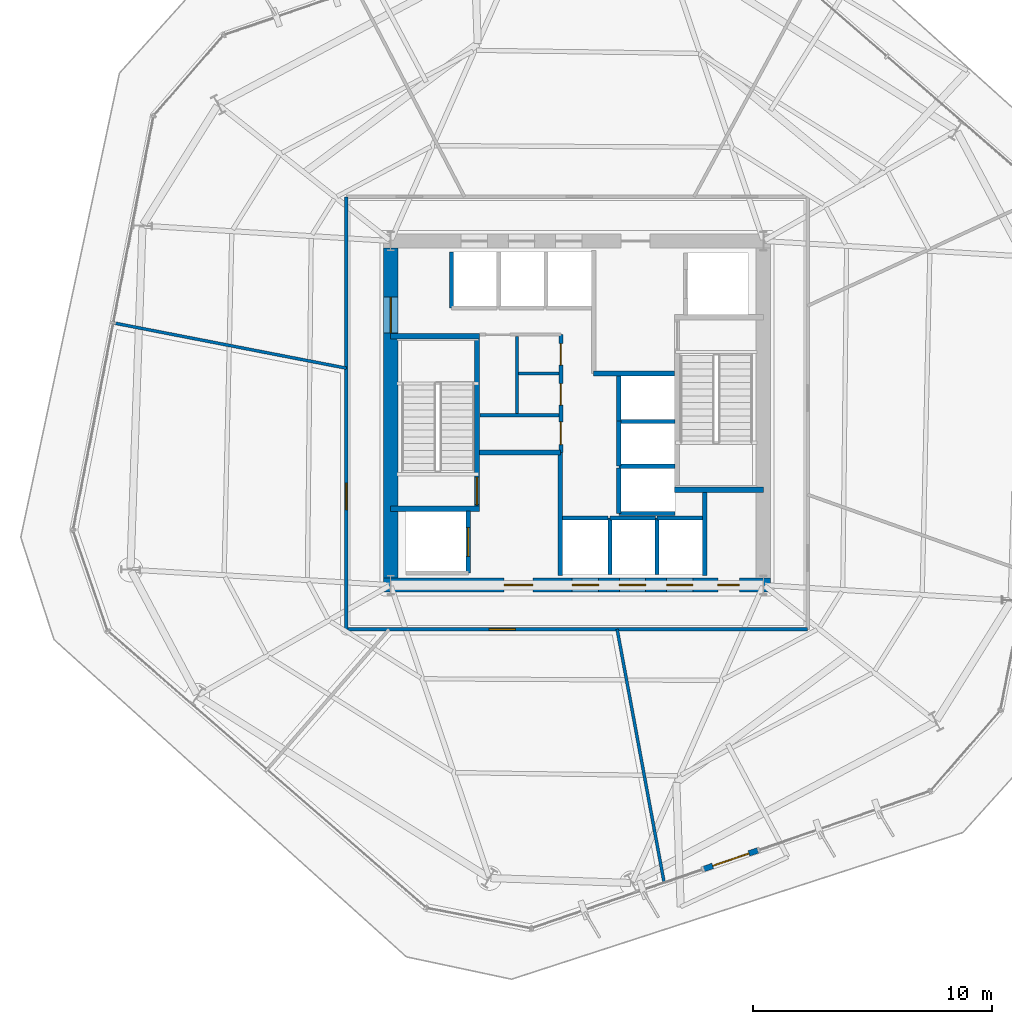
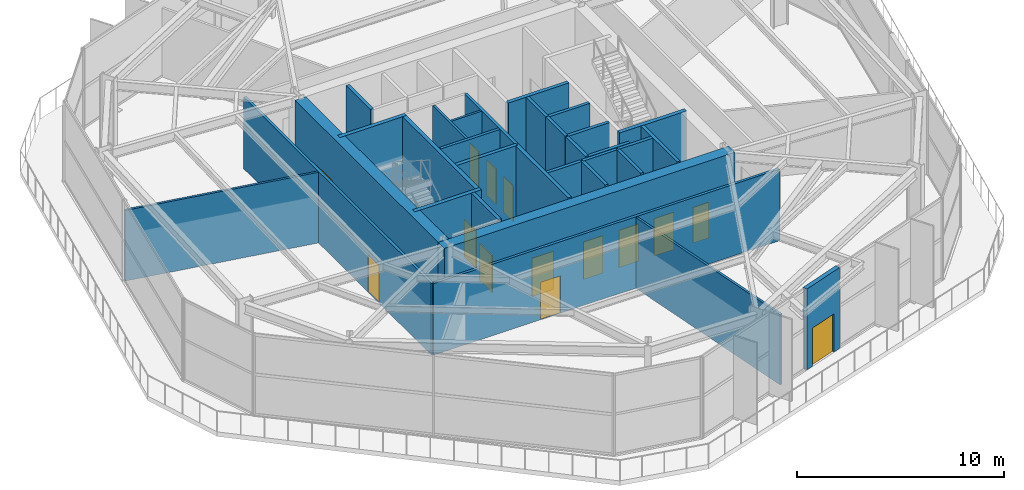
# One storey, part 9 of 16: 32 walls, 14 doors, 14 openings.
"""IFC4 building model written with IfcOpenShell, lengths in metres."""

from ifc_helpers import new_model, si_unit, direction, frame, frame_2d, origin, place, context, subcontext, project, spatial, rectangle, extrude, material, layer, layer_set, type_object, element, fill, save


model = new_model("IFC4")

# Units and contexts
model_context = context("Model", 3, precision=1e-05, world=origin(), true_north=direction((0.0, 1.0)))
body_context = subcontext(model_context, "Body", "Model", "MODEL_VIEW")
ifc_project = project(units=[si_unit("LENGTHUNIT", "METRE"), si_unit("AREAUNIT", "SQUARE_METRE"), si_unit("VOLUMEUNIT", "CUBIC_METRE"), si_unit("PLANEANGLEUNIT", "RADIAN"), si_unit("MASSUNIT", "GRAM", prefix="KILO")], contexts=[model_context])

# Site, building, storey
site_placement = place(None, origin())
site = spatial("IfcSite", under=ifc_project, at=site_placement, CompositionType="ELEMENT")
building_placement = place(site_placement, origin())
building = spatial("IfcBuilding", under=site, at=building_placement, Name="Kranzbogen Civic Tower", CompositionType="ELEMENT")
storey_placement = place(building_placement, frame((0.0, 0.0, 97.39990234375)))
storey = spatial("IfcBuildingStorey", under=building, at=storey_placement, Name="L23", CompositionType="ELEMENT", Elevation=97.39990234375)

# Wall, opening, door
ifc_material_1 = material(Name="Double-Stud Acoustic Gypsum Partition")
ifc_layer_1 = layer(ifc_material_1, 0.14990234375, Name="Double-Stud Acoustic Gypsum Partition")
ifc_layer_set_1 = layer_set([ifc_layer_1], Name="Double-Stud Acoustic Gypsum Partition")
wall_type_1 = type_object("IfcWallType", Name="Acoustic Corridor and Clinical Partition 150 mm", PredefinedType="PARTITIONING", material=ifc_layer_set_1)
wall_1_placement = place(storey_placement, frame((34.64990234375, 15.949951171875, 0.0), z_axis=(0.0, 0.0, 1.0), x_axis=(-1.0, 0.0, 0.0)))
wall_1 = element("IfcWall", 1, at=wall_1_placement, inside=storey, type_object=wall_type_1, Name="L23 corridor partition 03", PredefinedType="PARTITIONING", context=body_context, shape_type="SweptSolid", body=[
    extrude(rectangle(XDim=19.2998046875, YDim=0.14990234375, at=frame_2d((9.64990234375, 0.0))), origin(), (0.0, 0.0, 1.0), 4.210205078125),
])
opening_1_placement = place(wall_1_placement, frame((12.22705078125, 0.0, 0.0)))
opening_1 = element("IfcOpeningElement", 2, at=opening_1_placement, cuts=wall_1, Name="Opening D-COR60", PredefinedType="OPENING", context=body_context, shape_type="SweptSolid", body=[
    extrude(rectangle(XDim=1.10009765625, YDim=2.199951171875, at=frame_2d((0.550048828125, 1.10009765625))), frame((0.0, 0.0849609375, 0.0), z_axis=(0.0, -1.0, 0.0), x_axis=(1.0, 0.0, 0.0)), (0.0, 0.0, 1.0), 0.169921875),
])
ifc_material_2 = material(Name="Oak Timber and Fire Core", Category="wood")
door_type_1 = type_object("IfcDoorType", Name="Corridor Acoustic Fire Door 1100x2200", OperationType="NOTDEFINED", PredefinedType="DOOR", material=ifc_material_2)
door_1_placement = place(opening_1_placement, origin())
door_1 = element("IfcDoor", 3, at=door_1_placement, inside=storey, type_object=door_type_1, Name="L23 Directorate Admin Workspace door", OperationType="SINGLE_SWING_RIGHT", OverallHeight=2.199951171875, OverallWidth=1.10009765625, PredefinedType="DOOR", context=body_context, shape_type="SweptSolid", body=[
    extrude(rectangle(XDim=1.10009765625, YDim=2.199951171875, at=frame_2d((0.550048828125, 1.10009765625))), frame((0.0, 0.02490234375, 0.0), z_axis=(0.0, -1.0, 0.0), x_axis=(1.0, 0.0, 0.0)), (0.0, 0.0, 1.0), 0.050048828125),
])
fill(opening_1, door_1)

wall_2_placement = place(storey_placement, frame((15.35009765625, 15.949951171875, 0.0), z_axis=(0.0, 0.0, 1.0), x_axis=(0.0, 1.0, 0.0)))
wall_2 = element("IfcWall", 4, at=wall_2_placement, inside=storey, type_object=wall_type_1, Name="L23 corridor partition 04", PredefinedType="PARTITIONING", context=body_context, shape_type="SweptSolid", body=[
    extrude(rectangle(XDim=18.10009765625, YDim=0.14990234375, at=frame_2d((9.050048828125, 0.0))), origin(), (0.0, 0.0, 1.0), 4.210205078125),
])
opening_2_placement = place(wall_2_placement, frame((5.011962890625, 0.0, 0.0)))
opening_2 = element("IfcOpeningElement", 5, at=opening_2_placement, cuts=wall_2, Name="Opening D-COR60", PredefinedType="OPENING", context=body_context, shape_type="SweptSolid", body=[
    extrude(rectangle(XDim=1.10009765625, YDim=2.199951171875, at=frame_2d((0.550048828125, 1.10009765625))), frame((0.0, 0.0849609375, 0.0), z_axis=(0.0, -1.0, 0.0), x_axis=(1.0, 0.0, 0.0)), (0.0, 0.0, 1.0), 0.169921875),
])
door_2_placement = place(opening_2_placement, origin())
door_2 = element("IfcDoor", 6, at=door_2_placement, inside=storey, type_object=door_type_1, Name="L23 Ministerial Policy Office door", OperationType="SINGLE_SWING_LEFT", OverallHeight=2.199951171875, OverallWidth=1.10009765625, PredefinedType="DOOR", context=body_context, shape_type="SweptSolid", body=[
    extrude(rectangle(XDim=1.10009765625, YDim=2.199951171875, at=frame_2d((0.550048828125, 1.10009765625))), frame((0.0, 0.02490234375, 0.0), z_axis=(0.0, -1.0, 0.0), x_axis=(1.0, 0.0, 0.0)), (0.0, 0.0, 1.0), 0.050048828125),
])
fill(opening_2, door_2)

# Walls
ifc_material_3 = material(Name="Insulated Metal-Stud Gypsum Partition")
ifc_layer_2 = layer(ifc_material_3, 0.125, Name="Insulated Metal-Stud Gypsum Partition")
ifc_layer_set_2 = layer_set([ifc_layer_2], Name="Insulated Metal-Stud Gypsum Partition")
wall_type_2 = type_object("IfcWallType", Name="Acoustic Inter-Room Partition 125 mm", PredefinedType="PARTITIONING", material=ifc_layer_set_2)
wall_3_placement = place(storey_placement, frame((22.489990234375, 24.969970703125, 0.0), z_axis=(0.0, 0.0, 1.0), x_axis=(0.0, 1.0, 0.0)))
element("IfcWall", 7, at=wall_3_placement, inside=storey, type_object=wall_type_2, Name="L23 core auxiliary partition 2", PredefinedType="PARTITIONING", context=body_context, shape_type="SweptSolid", body=[
    extrude(rectangle(XDim=3.22998046875, YDim=0.125, at=frame_2d((1.614990234375, 0.0))), origin(), (0.0, 0.0, 1.0), 4.760009765625),
])
wall_4_placement = place(storey_placement, frame((22.550048828125, 26.659912109375, 0.0), z_axis=(0.0, 0.0, 1.0), x_axis=(1.0, 0.0, 0.0)))
element("IfcWall", 8, at=wall_4_placement, inside=storey, type_object=wall_type_2, Name="L23 core auxiliary partition 3", PredefinedType="PARTITIONING", context=body_context, shape_type="SweptSolid", body=[
    extrude(rectangle(XDim=1.699951171875, YDim=0.125, at=frame_2d((0.85009765625, 0.0))), origin(), (0.0, 0.0, 1.0), 4.760009765625),
])
wall_5_placement = place(storey_placement, frame((15.35009765625, 26.8759765625, 0.0), z_axis=(0.0, 0.0, 1.0), x_axis=(-0.981638939677, 0.190748504868, 0.0)))
element("IfcWall", 9, at=wall_5_placement, inside=storey, type_object=wall_type_2, Name="L23 radial room partition 03", PredefinedType="PARTITIONING", context=body_context, shape_type="SweptSolid", body=[
    extrude(rectangle(XDim=9.92431640625, YDim=0.125, at=frame_2d((4.962158203125, 0.0))), origin(), (0.0, 0.0, 1.0), 4.16015625),
])
wall_6_placement = place(storey_placement, frame((26.678955078125, 15.949951171875, 0.0), z_axis=(0.0, 0.0, 1.0), x_axis=(0.182465094044, -0.983212331826, 0.0)))
element("IfcWall", 10, at=wall_6_placement, inside=storey, type_object=wall_type_2, Name="L23 radial room partition 05", PredefinedType="PARTITIONING", context=body_context, shape_type="SweptSolid", body=[
    extrude(rectangle(XDim=10.769775390625, YDim=0.125, at=frame_2d((5.384765625, 0.0))), origin(), (0.0, 0.0, 1.0), 4.16015625),
])

# Wall, openings, doors
ifc_material_4 = material(Name="Concrete C55/67", Category="concrete")
ifc_layer_3 = layer(ifc_material_4, 0.60009765625, Name="Concrete C55/67")
ifc_layer_set_3 = layer_set([ifc_layer_3], Name="Concrete C55/67")
wall_type_3 = type_object("IfcWallType", Name="Central Core Shear Wall 600 mm", PredefinedType="SHEAR", material=ifc_layer_set_3)
wall_7_placement = place(storey_placement, frame((16.89990234375, 17.800048828125, 0.0), z_axis=(0.0, 0.0, 1.0), x_axis=(1.0, 0.0, 0.0)))
wall_7 = element("IfcWall", 11, at=wall_7_placement, inside=storey, type_object=wall_type_3, Name="L23 central core South shear wall", PredefinedType="SHEAR", context=body_context, shape_type="SweptSolid", body=[
    extrude(rectangle(XDim=16.2001953125, YDim=0.60009765625, at=frame_2d((8.10009765625, 0.0))), origin(), (0.0, 0.0, 1.0), 4.760009765625),
])
opening_3_placement = place(wall_7_placement, frame((5.050048828125, 0.0, 0.0)))
opening_3 = element("IfcOpeningElement", 12, at=opening_3_placement, cuts=wall_7, Name="Opening D-EX120", PredefinedType="OPENING", context=body_context, shape_type="SweptSolid", body=[
    extrude(rectangle(XDim=1.199951171875, YDim=2.25, at=frame_2d((0.60009765625, 1.125))), frame((0.0, 0.31005859375, 0.0), z_axis=(0.0, -1.0, 0.0), x_axis=(1.0, 0.0, 0.0)), (0.0, 0.0, 1.0), 0.6201171875),
])
opening_4_placement = place(wall_7_placement, frame((14.0, 0.0, 0.0)))
opening_4 = element("IfcOpeningElement", 13, at=opening_4_placement, cuts=wall_7, Name="Opening D-WC90", PredefinedType="OPENING", context=body_context, shape_type="SweptSolid", body=[
    extrude(rectangle(XDim=0.89990234375, YDim=2.10009765625, at=frame_2d((0.449951171875, 1.050048828125))), frame((0.0, 0.31005859375, 0.0), z_axis=(0.0, -1.0, 0.0), x_axis=(1.0, 0.0, 0.0)), (0.0, 0.0, 1.0), 0.6201171875),
])
opening_5_placement = place(wall_7_placement, frame((7.89990234375, 0.0, 0.0)))
opening_5 = element("IfcOpeningElement", 14, at=opening_5_placement, cuts=wall_7, Name="Opening LD-LP-01", PredefinedType="OPENING", context=body_context, shape_type="SweptSolid", body=[
    extrude(rectangle(XDim=1.10009765625, YDim=2.199951171875, at=frame_2d((0.550048828125, 1.10009765625))), frame((0.0, 0.31005859375, 0.0), z_axis=(0.0, -1.0, 0.0), x_axis=(1.0, 0.0, 0.0)), (0.0, 0.0, 1.0), 0.6201171875),
])
opening_6_placement = place(wall_7_placement, frame((9.875, 0.0, 0.0)))
opening_6 = element("IfcOpeningElement", 15, at=opening_6_placement, cuts=wall_7, Name="Opening LD-LP-02", PredefinedType="OPENING", context=body_context, shape_type="SweptSolid", body=[
    extrude(rectangle(XDim=1.10009765625, YDim=2.199951171875, at=frame_2d((0.550048828125, 1.10009765625))), frame((0.0, 0.31005859375, 0.0), z_axis=(0.0, -1.0, 0.0), x_axis=(1.0, 0.0, 0.0)), (0.0, 0.0, 1.0), 0.6201171875),
])
opening_7_placement = place(wall_7_placement, frame((11.85009765625, 0.0, 0.0)))
opening_7 = element("IfcOpeningElement", 16, at=opening_7_placement, cuts=wall_7, Name="Opening LD-LP-03", PredefinedType="OPENING", context=body_context, shape_type="SweptSolid", body=[
    extrude(rectangle(XDim=1.10009765625, YDim=2.199951171875, at=frame_2d((0.550048828125, 1.10009765625))), frame((0.0, 0.31005859375, 0.0), z_axis=(0.0, -1.0, 0.0), x_axis=(1.0, 0.0, 0.0)), (0.0, 0.0, 1.0), 0.6201171875),
])
ifc_material_5 = material(Name="Steel S355", Category="steel")
door_type_2 = type_object("IfcDoorType", Name="Exit Passageway Fire Door 1200x2250", OperationType="NOTDEFINED", PredefinedType="DOOR", material=ifc_material_5)
door_3_placement = place(opening_3_placement, origin())
door_3 = element("IfcDoor", 17, at=door_3_placement, inside=storey, type_object=door_type_2, Name="L23 West firefighting lobby corridor door", OperationType="SINGLE_SWING_RIGHT", OverallHeight=2.25, OverallWidth=1.199951171875, PredefinedType="DOOR", context=body_context, shape_type="SweptSolid", body=[
    extrude(rectangle(XDim=1.199951171875, YDim=2.25, at=frame_2d((0.60009765625, 1.125))), frame((0.0, 0.02490234375, 0.0), z_axis=(0.0, -1.0, 0.0), x_axis=(1.0, 0.0, 0.0)), (0.0, 0.0, 1.0), 0.050048828125),
])
fill(opening_3, door_3)
ifc_material_6 = material(Name="Pale Anodised Aluminium", Category="aluminium")
door_type_3 = type_object("IfcDoorType", Name="Passenger Lift Sliding Landing Door 1100x2200", OperationType="DOUBLE_DOOR_SLIDING", PredefinedType="DOOR", material=ifc_material_6)
door_4_placement = place(opening_5_placement, origin())
door_4 = element("IfcDoor", 18, at=door_4_placement, inside=storey, type_object=door_type_3, Name="L23 lift LP-01 sliding landing door", OperationType="DOUBLE_DOOR_SLIDING", OverallHeight=2.199951171875, OverallWidth=1.10009765625, PredefinedType="DOOR", context=body_context, shape_type="SweptSolid", body=[
    extrude(rectangle(XDim=1.10009765625, YDim=2.199951171875, at=frame_2d((0.550048828125, 1.10009765625))), frame((0.0, 0.02490234375, 0.0), z_axis=(0.0, -1.0, 0.0), x_axis=(1.0, 0.0, 0.0)), (0.0, 0.0, 1.0), 0.050048828125),
])
fill(opening_5, door_4)
door_5_placement = place(opening_6_placement, origin())
door_5 = element("IfcDoor", 19, at=door_5_placement, inside=storey, type_object=door_type_3, Name="L23 lift LP-02 sliding landing door", OperationType="DOUBLE_DOOR_SLIDING", OverallHeight=2.199951171875, OverallWidth=1.10009765625, PredefinedType="DOOR", context=body_context, shape_type="SweptSolid", body=[
    extrude(rectangle(XDim=1.10009765625, YDim=2.199951171875, at=frame_2d((0.550048828125, 1.10009765625))), frame((0.0, 0.02490234375, 0.0), z_axis=(0.0, -1.0, 0.0), x_axis=(1.0, 0.0, 0.0)), (0.0, 0.0, 1.0), 0.050048828125),
])
fill(opening_6, door_5)
door_6_placement = place(opening_7_placement, origin())
door_6 = element("IfcDoor", 20, at=door_6_placement, inside=storey, type_object=door_type_3, Name="L23 lift LP-03 sliding landing door", OperationType="DOUBLE_DOOR_SLIDING", OverallHeight=2.199951171875, OverallWidth=1.10009765625, PredefinedType="DOOR", context=body_context, shape_type="SweptSolid", body=[
    extrude(rectangle(XDim=1.10009765625, YDim=2.199951171875, at=frame_2d((0.550048828125, 1.10009765625))), frame((0.0, 0.02490234375, 0.0), z_axis=(0.0, -1.0, 0.0), x_axis=(1.0, 0.0, 0.0)), (0.0, 0.0, 1.0), 0.050048828125),
])
fill(opening_7, door_6)
ifc_material_7 = material(Name="Moisture-Resistant Laminate")
door_type_4 = type_object("IfcDoorType", Name="Standard Restroom and Store Door 900x2100", OperationType="NOTDEFINED", PredefinedType="DOOR", material=ifc_material_7)
door_7_placement = place(opening_4_placement, origin())
door_7 = element("IfcDoor", 21, at=door_7_placement, inside=storey, type_object=door_type_4, Name="L23 East electrical riser access door", OperationType="SINGLE_SWING_RIGHT", OverallHeight=2.10009765625, OverallWidth=0.89990234375, PredefinedType="DOOR", context=body_context, shape_type="SweptSolid", body=[
    extrude(rectangle(XDim=0.89990234375, YDim=2.10009765625, at=frame_2d((0.449951171875, 1.050048828125))), frame((0.0, 0.02490234375, 0.0), z_axis=(0.0, -1.0, 0.0), x_axis=(1.0, 0.0, 0.0)), (0.0, 0.0, 1.0), 0.050048828125),
])
fill(opening_4, door_7)

# Wall, opening, door
wall_8_placement = place(storey_placement, frame((17.199951171875, 31.89990234375, 0.0), z_axis=(0.0, 0.0, 1.0), x_axis=(0.0, -1.0, 0.0)))
wall_8 = element("IfcWall", 22, at=wall_8_placement, inside=storey, type_object=wall_type_3, Name="L23 central core West shear wall", PredefinedType="SHEAR", context=body_context, shape_type="SweptSolid", body=[
    extrude(rectangle(XDim=13.7998046875, YDim=0.60009765625, at=frame_2d((6.89990234375, 0.0))), origin(), (0.0, 0.0, 1.0), 4.760009765625),
])
opening_8_placement = place(wall_8_placement, frame((2.050048828125, 0.0, 0.0)))
opening_8 = element("IfcOpeningElement", 23, at=opening_8_placement, cuts=wall_8, Name="Opening D-DBL15", PredefinedType="OPENING", context=body_context, shape_type="SweptSolid", body=[
    extrude(rectangle(XDim=1.5, YDim=2.199951171875, at=frame_2d((0.75, 1.10009765625))), frame((0.0, 0.31005859375, 0.0), z_axis=(0.0, -1.0, 0.0), x_axis=(1.0, 0.0, 0.0)), (0.0, 0.0, 1.0), 0.6201171875),
])
ifc_material_8 = material(Name="Anodised Bronze and Glass", Category="glass")
door_type_5 = type_object("IfcDoorType", Name="Civic Lobby Double Door 1500x2200", OperationType="DOUBLE_DOOR_SINGLE_SWING", PredefinedType="DOOR", material=ifc_material_8)
door_8_placement = place(opening_8_placement, origin())
door_8 = element("IfcDoor", 24, at=door_8_placement, inside=storey, type_object=door_type_5, Name="L23 Central Lift Lobby West concourse door", OperationType="DOUBLE_DOOR_SINGLE_SWING", OverallHeight=2.199951171875, OverallWidth=1.5, PredefinedType="DOOR", context=body_context, shape_type="SweptSolid", body=[
    extrude(rectangle(XDim=1.5, YDim=2.199951171875, at=frame_2d((0.75, 1.10009765625))), frame((0.0, 0.02490234375, 0.0), z_axis=(0.0, -1.0, 0.0), x_axis=(1.0, 0.0, 0.0)), (0.0, 0.0, 1.0), 0.050048828125),
])
fill(opening_8, door_8)

ifc_material_9 = material(Name="Concrete C45/55", Category="concrete")
ifc_layer_4 = layer(ifc_material_9, 0.219970703125, Name="Concrete C45/55")
ifc_layer_set_4 = layer_set([ifc_layer_4], Name="Concrete C45/55")
wall_type_4 = type_object("IfcWallType", Name="Core Internal Stair Structural Wall 220 mm", PredefinedType="SOLIDWALL", material=ifc_layer_set_4)
wall_9_placement = place(storey_placement, frame((20.81005859375, 20.989990234375, 0.0), z_axis=(0.0, 0.0, 1.0), x_axis=(0.0, 1.0, 0.0)))
wall_9 = element("IfcWall", 25, at=wall_9_placement, inside=storey, type_object=wall_type_4, Name="L23 ST-T1 East structural stair wall", PredefinedType="SOLIDWALL", context=body_context, shape_type="SweptSolid", body=[
    extrude(rectangle(XDim=7.219970703125, YDim=0.219970703125, at=frame_2d((3.60986328125, 0.0))), origin(), (0.0, 0.0, 1.0), 4.760009765625),
])
opening_9_placement = place(wall_9_placement, frame((0.179931640625, 0.0, 0.0)))
opening_9 = element("IfcOpeningElement", 26, at=opening_9_placement, cuts=wall_9, Name="Opening D-ST90", PredefinedType="OPENING", context=body_context, shape_type="SweptSolid", body=[
    extrude(rectangle(XDim=1.14990234375, YDim=2.199951171875, at=frame_2d((0.574951171875, 1.10009765625))), frame((0.0, 0.1201171875, 0.0), z_axis=(0.0, -1.0, 0.0), x_axis=(1.0, 0.0, 0.0)), (0.0, 0.0, 1.0), 0.239990234375),
])
door_type_6 = type_object("IfcDoorType", Name="Pressurized Stair and Lobby Fire Door 1150x2200", OperationType="NOTDEFINED", PredefinedType="DOOR", material=ifc_material_5)
door_9_placement = place(opening_9_placement, origin())
door_9 = element("IfcDoor", 27, at=door_9_placement, inside=storey, type_object=door_type_6, Name="L23 Stair ST-T1 fire door", OperationType="SINGLE_SWING_RIGHT", OverallHeight=2.199951171875, OverallWidth=1.14990234375, PredefinedType="DOOR", context=body_context, shape_type="SweptSolid", body=[
    extrude(rectangle(XDim=1.14990234375, YDim=2.199951171875, at=frame_2d((0.574951171875, 1.10009765625))), frame((0.0, 0.02490234375, 0.0), z_axis=(0.0, -1.0, 0.0), x_axis=(1.0, 0.0, 0.0)), (0.0, 0.0, 1.0), 0.050048828125),
])
fill(opening_9, door_9)

# Walls
for number, where, z_axis, x_axis, name in (
    (28, (17.199951171875, 20.989990234375, 0.0), (0.0, 0.0, 1.0), (1.0, 0.0, 0.0), "L23 ST-T1 South structural stair wall"),
    (29, (17.199951171875, 28.2099609375, 0.0), (0.0, 0.0, 1.0), (1.0, 0.0, 0.0), "L23 ST-T1 North structural stair wall"),
    (30, (29.080078125, 21.7900390625, 0.0), (0.0, 0.0, 1.0), (1.0, 0.0, 0.0), "L23 ST-T2 South structural stair wall"),
):
    element("IfcWall", number, at=place(storey_placement, frame(where, z_axis=z_axis, x_axis=x_axis)), inside=storey, type_object=wall_type_4, Name=name, PredefinedType="SOLIDWALL", context=body_context, shape_type="SweptSolid", body=[
        extrude(rectangle(XDim=3.719970703125, YDim=0.219970703125, at=frame_2d((1.85986328125, 0.0))), origin(), (0.0, 0.0, 1.0), 4.760009765625),
    ])
ifc_material_10 = material(Name="Gypsum Fireboard and Concrete Block", Category="concrete")
ifc_layer_5 = layer(ifc_material_10, 0.199951171875, Name="Gypsum Fireboard and Concrete Block")
ifc_layer_set_5 = layer_set([ifc_layer_5], Name="Gypsum Fireboard and Concrete Block")
wall_type_5 = type_object("IfcWallType", Name="Fire-Rated Exit Passageway and Stair Wall 200 mm", PredefinedType="PARTITIONING", material=ifc_layer_set_5)
wall_10_placement = place(storey_placement, frame((24.300048828125, 18.199951171875, 0.0), z_axis=(0.0, 0.0, 1.0), x_axis=(0.0, 1.0, 0.0)))
element("IfcWall", 31, at=wall_10_placement, inside=storey, type_object=wall_type_5, Name="L23 West firefighting lobby East wall", PredefinedType="PARTITIONING", context=body_context, shape_type="SweptSolid", body=[
    extrude(rectangle(XDim=5.150146484375, YDim=0.199951171875, at=frame_2d((2.5751953125, 0.0))), origin(), (0.0, 0.0, 1.0), 4.760009765625),
])
for number, where, z_axis, x_axis, name in (
    (32, (20.919921875, 23.35009765625, 0.0), (0.0, 0.0, 1.0), (1.0, 0.0, 0.0), "L23 West firefighting lobby North wall"),
    (33, (25.699951171875, 26.64990234375, 0.0), (0.0, 0.0, 1.0), (1.0, 0.0, 0.0), "L23 East firefighting lobby South wall"),
):
    element("IfcWall", number, at=place(storey_placement, frame(where, z_axis=z_axis, x_axis=x_axis)), inside=storey, type_object=wall_type_5, Name=name, PredefinedType="PARTITIONING", context=body_context, shape_type="SweptSolid", body=[
        extrude(rectangle(XDim=3.380126953125, YDim=0.199951171875, at=frame_2d((1.68994140625, 0.0))), origin(), (0.0, 0.0, 1.0), 4.760009765625),
    ])
ifc_material_11 = material(Name="Gypsum Fireboard Shaftliner")
ifc_layer_6 = layer(ifc_material_11, 0.175048828125, Name="Gypsum Fireboard Shaftliner")
ifc_layer_set_6 = layer_set([ifc_layer_6], Name="Gypsum Fireboard Shaftliner")
wall_type_6 = type_object("IfcWallType", Name="Fire-Rated Lift and Service Shaft Wall 175 mm", PredefinedType="PARTITIONING", material=ifc_layer_set_6)
wall_11_placement = place(storey_placement, frame((30.35009765625, 18.199951171875, 0.0), z_axis=(0.0, 0.0, 1.0), x_axis=(0.0, 1.0, 0.0)))
element("IfcWall", 34, at=wall_11_placement, inside=storey, type_object=wall_type_6, Name="L23 East core riser West wall", PredefinedType="PARTITIONING", context=body_context, shape_type="SweptSolid", body=[
    extrude(rectangle(XDim=3.47998046875, YDim=0.175048828125, at=frame_2d((1.739990234375, 0.0))), origin(), (0.0, 0.0, 1.0), 4.760009765625),
])
wall_12_placement = place(storey_placement, frame((24.39990234375, 20.60009765625, 0.0), z_axis=(0.0, 0.0, 1.0), x_axis=(1.0, 0.0, 0.0)))
element("IfcWall", 35, at=wall_12_placement, inside=storey, type_object=wall_type_6, Name="L23 lift LP-01 rear wall", PredefinedType="PARTITIONING", context=body_context, shape_type="SweptSolid", body=[
    extrude(rectangle(XDim=1.900146484375, YDim=0.175048828125, at=frame_2d((0.9501953125, 0.0))), origin(), (0.0, 0.0, 1.0), 4.760009765625),
])
wall_13_placement = place(storey_placement, frame((26.375, 20.60009765625, 0.0), z_axis=(0.0, 0.0, 1.0), x_axis=(1.0, 0.0, 0.0)))
element("IfcWall", 36, at=wall_13_placement, inside=storey, type_object=wall_type_6, Name="L23 lift LP-02 rear wall", PredefinedType="PARTITIONING", context=body_context, shape_type="SweptSolid", body=[
    extrude(rectangle(XDim=1.89990234375, YDim=0.175048828125, at=frame_2d((0.949951171875, 0.0))), origin(), (0.0, 0.0, 1.0), 4.760009765625),
])
wall_14_placement = place(storey_placement, frame((26.375, 18.25, 0.0), z_axis=(0.0, 0.0, 1.0), x_axis=(0.0, 1.0, 0.0)))
element("IfcWall", 37, at=wall_14_placement, inside=storey, type_object=wall_type_6, Name="L23 lift LP-02 side wall", PredefinedType="PARTITIONING", context=body_context, shape_type="SweptSolid", body=[
    extrude(rectangle(XDim=2.35009765625, YDim=0.175048828125, at=frame_2d((1.175048828125, 0.0))), origin(), (0.0, 0.0, 1.0), 4.760009765625),
])
wall_15_placement = place(storey_placement, frame((28.35009765625, 20.60009765625, 0.0), z_axis=(0.0, 0.0, 1.0), x_axis=(1.0, 0.0, 0.0)))
element("IfcWall", 38, at=wall_15_placement, inside=storey, type_object=wall_type_6, Name="L23 lift LP-03 rear wall", PredefinedType="PARTITIONING", context=body_context, shape_type="SweptSolid", body=[
    extrude(rectangle(XDim=1.89990234375, YDim=0.175048828125, at=frame_2d((0.949951171875, 0.0))), origin(), (0.0, 0.0, 1.0), 4.760009765625),
])
for number, where, z_axis, x_axis, name in (
    (39, (28.35009765625, 18.25, 0.0), (0.0, 0.0, 1.0), (0.0, 1.0, 0.0), "L23 lift LP-03 side wall"),
    (40, (19.75, 29.39990234375, 0.0), (0.0, 0.0, 1.0), (0.0, 1.0, 0.0), "L23 lift MP-01 side wall"),
):
    element("IfcWall", number, at=place(storey_placement, frame(where, z_axis=z_axis, x_axis=x_axis)), inside=storey, type_object=wall_type_6, Name=name, PredefinedType="PARTITIONING", context=body_context, shape_type="SweptSolid", body=[
        extrude(rectangle(XDim=2.35009765625, YDim=0.175048828125, at=frame_2d((1.175048828125, 0.0))), origin(), (0.0, 0.0, 1.0), 4.760009765625),
    ])
wall_16_placement = place(storey_placement, frame((26.75, 20.800048828125, 0.0), z_axis=(0.0, 0.0, 1.0), x_axis=(0.0, 1.0, 0.0)))
element("IfcWall", 41, at=wall_16_placement, inside=storey, type_object=wall_type_6, Name="L23 lift HP-01 landing wall", PredefinedType="PARTITIONING", context=body_context, shape_type="SweptSolid", body=[
    extrude(rectangle(XDim=1.89990234375, YDim=0.175048828125, at=frame_2d((0.949951171875, 0.0))), origin(), (0.0, 0.0, 1.0), 4.760009765625),
])
wall_17_placement = place(storey_placement, frame((26.75, 20.800048828125, 0.0), z_axis=(0.0, 0.0, 1.0), x_axis=(1.0, 0.0, 0.0)))
element("IfcWall", 42, at=wall_17_placement, inside=storey, type_object=wall_type_6, Name="L23 lift HP-01 side wall", PredefinedType="PARTITIONING", context=body_context, shape_type="SweptSolid", body=[
    extrude(rectangle(XDim=2.35009765625, YDim=0.175048828125, at=frame_2d((1.175048828125, 0.0))), origin(), (0.0, 0.0, 1.0), 4.760009765625),
])
wall_18_placement = place(storey_placement, frame((26.75, 22.77490234375, 0.0), z_axis=(0.0, 0.0, 1.0), x_axis=(0.0, 1.0, 0.0)))
element("IfcWall", 43, at=wall_18_placement, inside=storey, type_object=wall_type_6, Name="L23 lift HP-02 landing wall", PredefinedType="PARTITIONING", context=body_context, shape_type="SweptSolid", body=[
    extrude(rectangle(XDim=1.900146484375, YDim=0.175048828125, at=frame_2d((0.9501953125, 0.0))), origin(), (0.0, 0.0, 1.0), 4.760009765625),
])
wall_19_placement = place(storey_placement, frame((26.75, 22.77490234375, 0.0), z_axis=(0.0, 0.0, 1.0), x_axis=(1.0, 0.0, 0.0)))
element("IfcWall", 44, at=wall_19_placement, inside=storey, type_object=wall_type_6, Name="L23 lift HP-02 side wall", PredefinedType="PARTITIONING", context=body_context, shape_type="SweptSolid", body=[
    extrude(rectangle(XDim=2.35009765625, YDim=0.175048828125, at=frame_2d((1.175048828125, 0.0))), origin(), (0.0, 0.0, 1.0), 4.760009765625),
])
wall_20_placement = place(storey_placement, frame((26.75, 24.64990234375, 0.0), z_axis=(0.0, 0.0, 1.0), x_axis=(0.0, 1.0, 0.0)))
element("IfcWall", 45, at=wall_20_placement, inside=storey, type_object=wall_type_6, Name="L23 lift HP-03 landing wall", PredefinedType="PARTITIONING", context=body_context, shape_type="SweptSolid", body=[
    extrude(rectangle(XDim=1.900146484375, YDim=0.175048828125, at=frame_2d((0.9501953125, 0.0))), origin(), (0.0, 0.0, 1.0), 4.760009765625),
])
wall_21_placement = place(storey_placement, frame((26.75, 24.64990234375, 0.0), z_axis=(0.0, 0.0, 1.0), x_axis=(1.0, 0.0, 0.0)))
element("IfcWall", 46, at=wall_21_placement, inside=storey, type_object=wall_type_6, Name="L23 lift HP-03 side wall", PredefinedType="PARTITIONING", context=body_context, shape_type="SweptSolid", body=[
    extrude(rectangle(XDim=2.35009765625, YDim=0.175048828125, at=frame_2d((1.175048828125, 0.0))), origin(), (0.0, 0.0, 1.0), 4.760009765625),
])

# Wall, opening, door
wall_22_placement = place(storey_placement, frame((20.449951171875, 18.300048828125, 0.0), z_axis=(0.0, 0.0, 1.0), x_axis=(0.0, 1.0, 0.0)))
wall_22 = element("IfcWall", 47, at=wall_22_placement, inside=storey, type_object=wall_type_6, Name="L23 lift FF-01 landing wall", PredefinedType="PARTITIONING", context=body_context, shape_type="SweptSolid", body=[
    extrude(rectangle(XDim=2.599853515625, YDim=0.175048828125, at=frame_2d((1.2998046875, 0.0))), origin(), (0.0, 0.0, 1.0), 4.760009765625),
])
opening_10_placement = place(wall_22_placement, frame((0.699951171875, 0.0, 0.0)))
opening_10 = element("IfcOpeningElement", 48, at=opening_10_placement, cuts=wall_22, Name="Opening LD-FF-01", PredefinedType="OPENING", context=body_context, shape_type="SweptSolid", body=[
    extrude(rectangle(XDim=1.199951171875, YDim=2.199951171875, at=frame_2d((0.60009765625, 1.10009765625))), frame((0.0, 0.09765625, 0.0), z_axis=(0.0, -1.0, 0.0), x_axis=(1.0, 0.0, 0.0)), (0.0, 0.0, 1.0), 0.195068359375),
])
door_type_7 = type_object("IfcDoorType", Name="Firefighting and Stretcher Lift Sliding Landing Door 1200x2200", OperationType="DOUBLE_DOOR_SLIDING", PredefinedType="DOOR", material=ifc_material_6)
door_10_placement = place(opening_10_placement, origin())
door_10 = element("IfcDoor", 49, at=door_10_placement, inside=storey, type_object=door_type_7, Name="L23 lift FF-01 sliding landing door", OperationType="DOUBLE_DOOR_SLIDING", OverallHeight=2.199951171875, OverallWidth=1.199951171875, PredefinedType="DOOR", context=body_context, shape_type="SweptSolid", body=[
    extrude(rectangle(XDim=1.199951171875, YDim=2.199951171875, at=frame_2d((0.60009765625, 1.10009765625))), frame((0.0, 0.02490234375, 0.0), z_axis=(0.0, -1.0, 0.0), x_axis=(1.0, 0.0, 0.0)), (0.0, 0.0, 1.0), 0.050048828125),
])
fill(opening_10, door_10)

ifc_layer_7 = layer(ifc_material_6, 0.239990234375, Name="Pale Anodised Aluminium")
ifc_layer_set_7 = layer_set([ifc_layer_7], Name="Pale Anodised Aluminium")
wall_type_7 = type_object("IfcWallType", Name="Insulated Aluminium Facade Portal Wall 240 mm", PredefinedType="STANDARD", material=ifc_layer_set_7)
wall_23_placement = place(storey_placement, frame((30.302001953125, 5.9140625, 0.0), z_axis=(0.0, 0.0, 1.0), x_axis=(0.945555551181, 0.325460749755, 0.0)))
wall_23 = element("IfcWall", 50, at=wall_23_placement, inside=storey, type_object=wall_type_7, Name="L23 exterior entrance portal wall 1", PredefinedType="STANDARD", context=body_context, shape_type="SweptSolid", body=[
    extrude(rectangle(XDim=2.399658203125, YDim=0.239990234375, at=frame_2d((1.19970703125, 0.0))), origin(), (0.0, 0.0, 1.0), 4.760009765625),
])
opening_11_placement = place(wall_23_placement, frame((0.39990234375, 0.0, 0.0)))
opening_11 = element("IfcOpeningElement", 51, at=opening_11_placement, cuts=wall_23, Name="Opening D-TER", PredefinedType="OPENING", context=body_context, shape_type="SweptSolid", body=[
    extrude(rectangle(XDim=1.60009765625, YDim=2.25, at=frame_2d((0.800048828125, 1.125))), frame((0.0, 0.1298828125, 0.0), z_axis=(0.0, -1.0, 0.0), x_axis=(1.0, 0.0, 0.0)), (0.0, 0.0, 1.0), 0.260009765625),
])
ifc_material_12 = material(Name="Anodised Bronze and Triple Glass", Category="glass")
door_type_8 = type_object("IfcDoorType", Name="Glazed Terrace and Balcony Double Door 1600x2250", OperationType="DOUBLE_DOOR_SINGLE_SWING", PredefinedType="DOOR", material=ifc_material_12)
door_11_placement = place(opening_11_placement, frame((1.60009765625, 0.0, 0.0), z_axis=(0.0, 0.0, 1.0), x_axis=(-1.0, 0.0, 0.0)))
door_11 = element("IfcDoor", 52, at=door_11_placement, inside=storey, type_object=door_type_8, Name="L23 tree balcony access door L23-TB2", OperationType="DOUBLE_DOOR_SINGLE_SWING", OverallHeight=2.25, OverallWidth=1.60009765625, PredefinedType="DOOR", context=body_context, shape_type="SweptSolid", body=[
    extrude(rectangle(XDim=1.60009765625, YDim=2.25, at=frame_2d((0.800048828125, 1.125))), frame((0.0, 0.02490234375, 0.0), z_axis=(0.0, -1.0, 0.0), x_axis=(1.0, 0.0, 0.0)), (0.0, 0.0, 1.0), 0.050048828125),
])
fill(opening_11, door_11)

# Wall, openings, doors
ifc_material_13 = material(Name="Moisture-Resistant Gypsum Assembly")
ifc_layer_8 = layer(ifc_material_13, 0.159912109375, Name="Moisture-Resistant Gypsum Assembly")
ifc_layer_set_8 = layer_set([ifc_layer_8], Name="Moisture-Resistant Gypsum Assembly")
wall_type_8 = type_object("IfcWallType", Name="Sanitary and Plumbing Wet Wall 160 mm", PredefinedType="PLUMBINGWALL", material=ifc_layer_set_8)
wall_24_placement = place(storey_placement, frame((24.324951171875, 23.35009765625, 0.0), z_axis=(0.0, 0.0, 1.0), x_axis=(0.0, 1.0, 0.0)))
wall_24 = element("IfcWall", 53, at=wall_24_placement, inside=storey, type_object=wall_type_8, Name="L23 core auxiliary East wall", PredefinedType="PLUMBINGWALL", context=body_context, shape_type="SweptSolid", body=[
    extrude(rectangle(XDim=4.929931640625, YDim=0.159912109375, at=frame_2d((2.46484375, 0.0))), origin(), (0.0, 0.0, 1.0), 4.760009765625),
])
opening_12_placement = place(wall_24_placement, frame((0.324951171875, 0.0, 0.0)))
opening_12 = element("IfcOpeningElement", 54, at=opening_12_placement, cuts=wall_24, Name="Opening D-AWC95", PredefinedType="OPENING", context=body_context, shape_type="SweptSolid", body=[
    extrude(rectangle(XDim=0.949951171875, YDim=2.10009765625, at=frame_2d((0.47509765625, 1.050048828125))), frame((0.0, 0.08984375, 0.0), z_axis=(0.0, -1.0, 0.0), x_axis=(1.0, 0.0, 0.0)), (0.0, 0.0, 1.0), 0.179931640625),
])
opening_13_placement = place(wall_24_placement, frame((1.985107421875, 0.0, 0.0)))
opening_13 = element("IfcOpeningElement", 55, at=opening_13_placement, cuts=wall_24, Name="Opening D-WC90", PredefinedType="OPENING", context=body_context, shape_type="SweptSolid", body=[
    extrude(rectangle(XDim=0.89990234375, YDim=2.10009765625, at=frame_2d((0.449951171875, 1.050048828125))), frame((0.0, 0.08984375, 0.0), z_axis=(0.0, -1.0, 0.0), x_axis=(1.0, 0.0, 0.0)), (0.0, 0.0, 1.0), 0.179931640625),
])
opening_14_placement = place(wall_24_placement, frame((3.659912109375, 0.0, 0.0)))
opening_14 = element("IfcOpeningElement", 56, at=opening_14_placement, cuts=wall_24, Name="Opening D-WC90", PredefinedType="OPENING", context=body_context, shape_type="SweptSolid", body=[
    extrude(rectangle(XDim=0.89990234375, YDim=2.10009765625, at=frame_2d((0.449951171875, 1.050048828125))), frame((0.0, 0.08984375, 0.0), z_axis=(0.0, -1.0, 0.0), x_axis=(1.0, 0.0, 0.0)), (0.0, 0.0, 1.0), 0.179931640625),
])
door_type_9 = type_object("IfcDoorType", Name="Accessible Restroom Door 950x2100", OperationType="NOTDEFINED", PredefinedType="DOOR", material=ifc_material_7)
door_12_placement = place(opening_12_placement, origin())
door_12 = element("IfcDoor", 57, at=door_12_placement, inside=storey, type_object=door_type_9, Name="L23 Accessible Restroom door", OperationType="SINGLE_SWING_RIGHT", OverallHeight=2.10009765625, OverallWidth=0.949951171875, PredefinedType="DOOR", context=body_context, shape_type="SweptSolid", body=[
    extrude(rectangle(XDim=0.949951171875, YDim=2.10009765625, at=frame_2d((0.47509765625, 1.050048828125))), frame((0.0, 0.02490234375, 0.0), z_axis=(0.0, -1.0, 0.0), x_axis=(1.0, 0.0, 0.0)), (0.0, 0.0, 1.0), 0.050048828125),
])
fill(opening_12, door_12)
door_13_placement = place(opening_13_placement, origin())
door_13 = element("IfcDoor", 58, at=door_13_placement, inside=storey, type_object=door_type_4, Name="L23 Gender-Neutral Restroom door", OperationType="SINGLE_SWING_LEFT", OverallHeight=2.10009765625, OverallWidth=0.89990234375, PredefinedType="DOOR", context=body_context, shape_type="SweptSolid", body=[
    extrude(rectangle(XDim=0.89990234375, YDim=2.10009765625, at=frame_2d((0.449951171875, 1.050048828125))), frame((0.0, 0.02490234375, 0.0), z_axis=(0.0, -1.0, 0.0), x_axis=(1.0, 0.0, 0.0)), (0.0, 0.0, 1.0), 0.050048828125),
])
fill(opening_13, door_13)
door_14_placement = place(opening_14_placement, origin())
door_14 = element("IfcDoor", 59, at=door_14_placement, inside=storey, type_object=door_type_4, Name="L23 Floor IT Patch Closet door", OperationType="SINGLE_SWING_RIGHT", OverallHeight=2.10009765625, OverallWidth=0.89990234375, PredefinedType="DOOR", context=body_context, shape_type="SweptSolid", body=[
    extrude(rectangle(XDim=0.89990234375, YDim=2.10009765625, at=frame_2d((0.449951171875, 1.050048828125))), frame((0.0, 0.02490234375, 0.0), z_axis=(0.0, -1.0, 0.0), x_axis=(1.0, 0.0, 0.0)), (0.0, 0.0, 1.0), 0.050048828125),
])
fill(opening_14, door_14)

# Wall
wall_25_placement = place(storey_placement, frame((20.949951171875, 24.909912109375, 0.0), z_axis=(0.0, 0.0, 1.0), x_axis=(1.0, 0.0, 0.0)))
element("IfcWall", 60, at=wall_25_placement, inside=storey, type_object=wall_type_8, Name="L23 core auxiliary partition 1", PredefinedType="PLUMBINGWALL", context=body_context, shape_type="SweptSolid", body=[
    extrude(rectangle(XDim=3.300048828125, YDim=0.159912109375, at=frame_2d((1.64990234375, 0.0))), origin(), (0.0, 0.0, 1.0), 4.760009765625),
])

save(model, "model.ifc")
